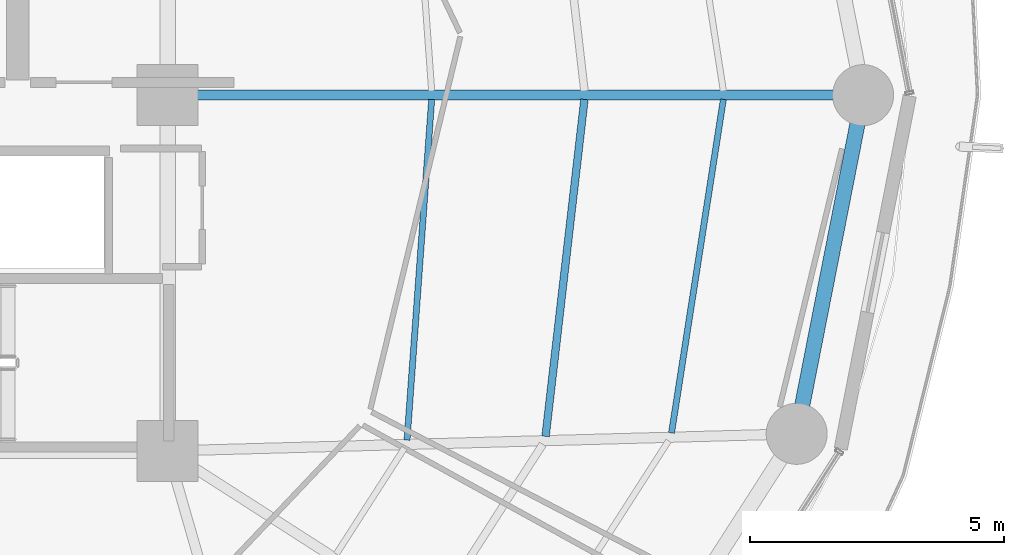
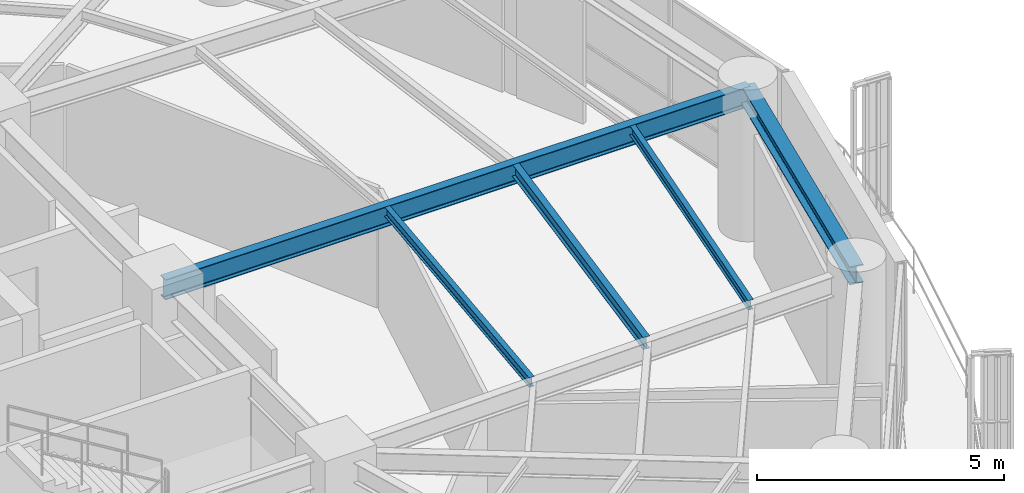
# One storey, part 12 of 29: 5 beams.
"""IFC4 building model written with IfcOpenShell, lengths in metres."""

from ifc_helpers import new_model, si_unit, direction, frame, origin, origin_2d, place, context, subcontext, project, spatial, i_section, extrude, material, material_profile, profile_set, type_object, element, save


model = new_model("IFC4")

# Units and contexts
model_context = context("Model", 3, precision=1e-05, world=origin(), true_north=direction((0.0, 1.0)))
body_context = subcontext(model_context, "Body", "Model", "MODEL_VIEW")
ifc_project = project(units=[si_unit("LENGTHUNIT", "METRE"), si_unit("AREAUNIT", "SQUARE_METRE"), si_unit("VOLUMEUNIT", "CUBIC_METRE"), si_unit("PLANEANGLEUNIT", "RADIAN"), si_unit("MASSUNIT", "GRAM", prefix="KILO")], contexts=[model_context])

# Site, building, storey
site_placement = place(None, origin())
site = spatial("IfcSite", under=ifc_project, at=site_placement, CompositionType="ELEMENT")
building_placement = place(site_placement, origin())
building = spatial("IfcBuilding", under=site, at=building_placement, Name="Kelanora Arch Commons", CompositionType="ELEMENT")
storey_placement = place(building_placement, frame((0.0, 0.0, 135.60009765625)))
storey = spatial("IfcBuildingStorey", under=building, at=storey_placement, Name="L34", CompositionType="ELEMENT", Elevation=135.60009765625)

# Beams
ifc_material = material(Name="Steel S355", Category="steel")
ifc_material_profile_1 = material_profile(ifc_material, i_section(OverallWidth=0.14990234375, OverallDepth=0.300048828125, WebThickness=0.007080078125, FlangeThickness=0.0107421875, FilletRadius=0.014892578125, at=origin_2d()), Name="IPE300")
ifc_profile_set_1 = profile_set([ifc_material_profile_1], Name="Steel S355")
beam_type_1 = type_object("IfcBeamType", Name="BM-JST-01", PredefinedType="JOIST", material=ifc_profile_set_1)
beam_1_placement = place(storey_placement, frame((89.43310546875, 51.286865234375, 3.33984375), z_axis=(0.114667159005, 0.9934039675, 0.0), x_axis=(-0.9934039675, 0.114667159005, 0.0)))
element("IfcBeam", 1, at=beam_1_placement, inside=storey, type_object=beam_type_1, Name="Secondary Chord Joist BJB-34 L34", PredefinedType="JOIST", context=body_context, shape_type="SweptSolid", body=[
    extrude(i_section(OverallWidth=0.14990234375, OverallDepth=0.300048828125, WebThickness=0.007080078125, FlangeThickness=0.0107421875, FilletRadius=0.014892578125, at=origin_2d()), origin(), (0.0, 0.0, 1.0), 6.672607421875),
])
ifc_material_profile_2 = material_profile(ifc_material, i_section(OverallWidth=0.1201171875, OverallDepth=0.239990234375, WebThickness=0.006103515625, FlangeThickness=0.009765625, FilletRadius=0.014892578125, at=origin_2d()), Name="IPE240")
ifc_profile_set_2 = profile_set([ifc_material_profile_2], Name="Steel S355")
beam_type_2 = type_object("IfcBeamType", Name="BM-JST-02", PredefinedType="JOIST", material=ifc_profile_set_2)
beam_2_placement = place(storey_placement, frame((86.707763671875, 51.212890625, 3.369873046875), z_axis=(0.072117123738, 0.997396170267, 0.0), x_axis=(-0.997396170267, 0.072117123738, 0.0)))
element("IfcBeam", 2, at=beam_2_placement, inside=storey, type_object=beam_type_2, Name="Secondary Chord Joist BJA-34 L34", PredefinedType="JOIST", context=body_context, shape_type="SweptSolid", body=[
    extrude(i_section(OverallWidth=0.1201171875, OverallDepth=0.239990234375, WebThickness=0.006103515625, FlangeThickness=0.009765625, FilletRadius=0.014892578125, at=origin_2d()), origin(), (0.0, 0.0, 1.0), 6.719970703125),
])
beam_3_placement = place(storey_placement, frame((91.9111328125, 51.35400390625, 3.369873046875), z_axis=(0.153562625853, 0.988138917329, 0.0), x_axis=(-0.988138917329, 0.153562625853, 0.0)))
element("IfcBeam", 3, at=beam_3_placement, inside=storey, type_object=beam_type_2, Name="Secondary Chord Joist BJC-34 L34", PredefinedType="JOIST", context=body_context, shape_type="SweptSolid", body=[
    extrude(i_section(OverallWidth=0.1201171875, OverallDepth=0.239990234375, WebThickness=0.006103515625, FlangeThickness=0.009765625, FilletRadius=0.014892578125, at=origin_2d()), origin(), (0.0, 0.0, 1.0), 6.640869140625),
])
ifc_material_profile_3 = material_profile(ifc_material, i_section(OverallWidth=0.199951171875, OverallDepth=0.5, WebThickness=0.01025390625, FlangeThickness=0.01611328125, FilletRadius=0.02099609375, at=origin_2d()), Name="IPE500")
ifc_profile_set_3 = profile_set([ifc_material_profile_3], Name="Steel S355")
beam_type_3 = type_object("IfcBeamType", Name="BM-RAD-Z3", PredefinedType="BEAM", material=ifc_profile_set_3)
beam_4_placement = place(storey_placement, frame((82.0, 58.0, 3.239990234375), z_axis=(1.0, 0.0, 0.0), x_axis=(0.0, 1.0, 0.0)))
element("IfcBeam", 4, at=beam_4_placement, inside=storey, type_object=beam_type_3, Name="Radial Floor Girder BR-00 L34", PredefinedType="BEAM", context=body_context, shape_type="SweptSolid", body=[
    extrude(i_section(OverallWidth=0.199951171875, OverallDepth=0.5, WebThickness=0.01025390625, FlangeThickness=0.01611328125, FilletRadius=0.02099609375, at=origin_2d()), origin(), (0.0, 0.0, 1.0), 13.679931640625),
])
ifc_material_profile_4 = material_profile(ifc_material, i_section(OverallWidth=0.300048828125, OverallDepth=0.449951171875, WebThickness=0.013916015625, FlangeThickness=0.02587890625, FilletRadius=0.027099609375, at=origin_2d()), Name="HEB450")
ifc_profile_set_4 = profile_set([ifc_material_profile_4], Name="Steel S355")
beam_type_4 = type_object("IfcBeamType", Name="BM-SPN-Z3", PredefinedType="SPANDREL", material=ifc_profile_set_4)
beam_5_placement = place(storey_placement, frame((94.37255859375, 51.33740234375, 3.264892578125), z_axis=(0.192553643556, 0.981286448675, 0.0), x_axis=(-0.981286448675, 0.192553643556, 0.0)))
element("IfcBeam", 5, at=beam_5_placement, inside=storey, type_object=beam_type_4, Name="Perimeter Spandrel Beam BS-34 L34", PredefinedType="SPANDREL", context=body_context, shape_type="SweptSolid", body=[
    extrude(i_section(OverallWidth=0.300048828125, OverallDepth=0.449951171875, WebThickness=0.013916015625, FlangeThickness=0.02587890625, FilletRadius=0.027099609375, at=origin_2d()), origin(), (0.0, 0.0, 1.0), 6.78955078125),
])

save(model, "model.ifc")
